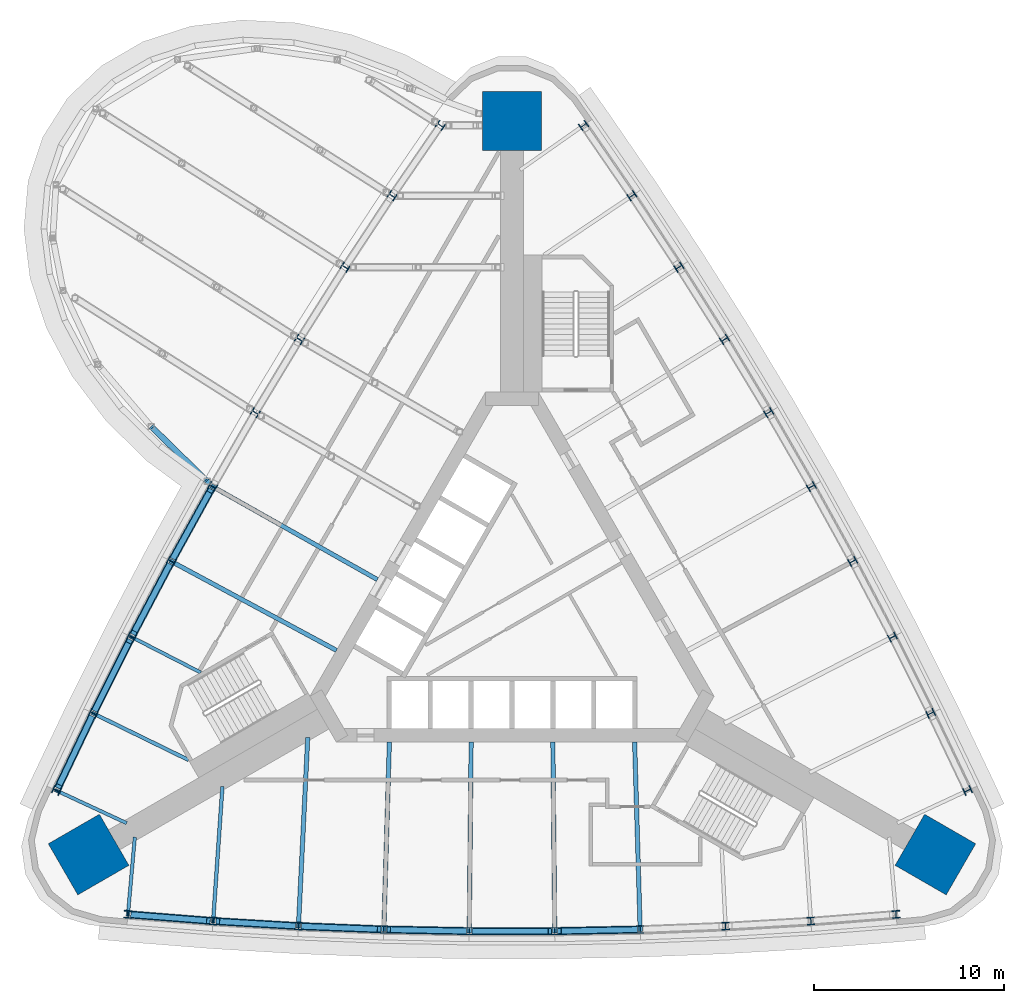
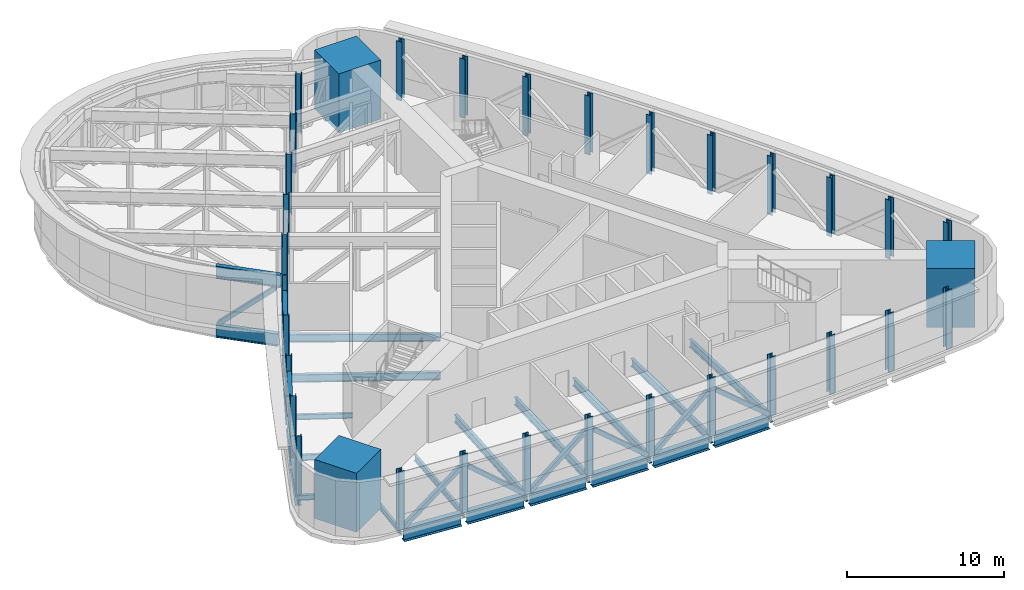
# One storey, part 1 of 11: 33 columns, 22 beams, 13 members.
"""IFC4 building model written with IfcOpenShell, lengths in metres."""

from ifc_helpers import new_model, si_unit, direction, frame, origin, origin_2d, place, context, subcontext, project, spatial, rectangle, hollow_rectangle, i_section, extrude, material, material_profile, profile_set, type_object, element, save


model = new_model("IFC4")

# Units and contexts
model_context = context("Model", 3, precision=1e-05, world=origin(), true_north=direction((0.0, 1.0)))
body_context = subcontext(model_context, "Body", "Model", "MODEL_VIEW")
ifc_project = project(units=[si_unit("LENGTHUNIT", "METRE"), si_unit("AREAUNIT", "SQUARE_METRE"), si_unit("VOLUMEUNIT", "CUBIC_METRE"), si_unit("PLANEANGLEUNIT", "RADIAN"), si_unit("MASSUNIT", "GRAM", prefix="KILO")], contexts=[model_context])

# Site, building, storey
site_placement = place(None, origin())
site = spatial("IfcSite", under=ifc_project, at=site_placement, CompositionType="ELEMENT")
building_placement = place(site_placement, origin())
building = spatial("IfcBuilding", under=site, at=building_placement, Name="Noor Cloister Tower", CompositionType="ELEMENT")
storey_placement = place(building_placement, frame((0.0, 0.0, 87.0)))
storey = spatial("IfcBuildingStorey", under=building, at=storey_placement, Name="L22", CompositionType="ELEMENT", Elevation=87.0)

# Columns
ifc_material_1 = material(Name="Steel ASTM A992 Gr 50", Category="steel")
ifc_material_profile_1 = material_profile(ifc_material_1, i_section(OverallWidth=0.404052734375, OverallDepth=0.406005859375, WebThickness=0.027099609375, FlangeThickness=0.043701171875, FilletRadius=0.01513671875, at=origin_2d()), Name="W360x347")
ifc_profile_set_1 = profile_set([ifc_material_profile_1], Name="Steel ASTM A992 Gr 50")
column_type_1 = type_object("IfcColumnType", Name="Column W360x347", PredefinedType="COLUMN", material=ifc_profile_set_1)
for number, where, z_axis, x_axis, name in (
    (1, (-3.754638671875, 25.463623046875, -0.300048828125), (0.0, 0.0, 1.0), (-0.57464761374, -0.818400953092, 0.0), "Column NW 01 L22"),
    (2, (-6.2978515625, 21.7646484375, -0.300048828125), (0.0, 0.0, 1.0), (-0.558428529917, -0.829552636651, 0.0), "Column NW 02 L22"),
    (3, (-8.76806640625, 18.01611328125, -0.300048828125), (0.0, 0.0, 1.0), (-0.541993100424, -0.840382935984, 0.0), "Column NW 03 L22"),
    (4, (-11.163818359375, 14.2197265625, -0.300048828125), (0.0, 0.0, 1.0), (-0.525347692669, -0.850887655221, 0.0), "Column NW 04 L22"),
    (5, (-13.484375, 10.376953125, -0.300048828125), (0.0, 0.0, 1.0), (-0.508498755365, -0.861062724656, 0.0), "Column NW 05 L22"),
    (6, (-15.72900390625, 6.489501953125, -0.300048828125), (0.0, 0.0, 1.0), (-0.491452816121, -0.870904202267, 0.0), "Column NW 06 L22"),
    (7, (-17.896728515625, 2.558349609375, -0.300048828125), (0.0, 0.0, 1.0), (-0.474216478854, -0.880408275281, 0.0), "Column NW 07 L22"),
    (8, (-19.986328125, -1.414794921875, -0.300048828125), (0.0, 0.0, 1.0), (-0.456796421257, -0.889571261635, 0.0), "Column NW 08 L22"),
    (9, (-21.99755859375, -5.427978515625, -0.300048828125), (0.0, 0.0, 1.0), (-0.439199392158, -0.898389611432, 0.0), "Column NW 09 L22"),
    (10, (-23.929443359375, -9.480224609375, -0.300048828125), (0.0, 0.0, 1.0), (-0.421432208989, -0.906859908269, 0.0), "Column NW 10 L22"),
    (11, (-20.1748046875, -15.9833984375, -0.300048828125), (0.0, 0.0, 1.0), (0.99607982273, -0.088458955177, 0.0), "Column S 01 L22"),
    (12, (-15.69970703125, -16.33642578125, -0.300048828125), (0.0, 0.0, 1.0), (0.997627922075, -0.06883697478, 0.0), "Column S 02 L22"),
    (13, (-11.218505859375, -16.601318359375, -0.300048828125), (0.0, 0.0, 1.0), (0.998789521681, -0.049188325651, 0.0), "Column S 03 L22"),
    (14, (-6.732666015625, -16.778076171875, -0.300048828125), (0.0, 0.0, 1.0), (0.999564171522, -0.02952062006, 0.0), "Column S 04 L22"),
    (15, (-2.24462890625, -16.866455078125, -0.300048828125), (0.0, 0.0, 1.0), (0.999951571487, -0.009841477611, 0.0), "Column S 05 L22"),
    (16, (2.24462890625, -16.866455078125, -0.300048828125), (0.0, 0.0, 1.0), (0.999951571487, 0.009841477611, 0.0), "Column S 06 L22"),
    (17, (6.732666015625, -16.778076171875, -0.300048828125), (0.0, 0.0, 1.0), (0.999564171522, 0.02952062006, 0.0), "Column S 07 L22"),
    (18, (11.218505859375, -16.601318359375, -0.300048828125), (0.0, 0.0, 1.0), (0.998789521681, 0.049188325651, 0.0), "Column S 08 L22"),
    (19, (15.69970703125, -16.33642578125, -0.300048828125), (0.0, 0.0, 1.0), (0.997627922075, 0.06883697478, 0.0), "Column S 09 L22"),
    (20, (20.1748046875, -15.9833984375, -0.300048828125), (0.0, 0.0, 1.0), (0.99607982273, 0.088458955177, 0.0), "Column S 10 L22"),
    (21, (23.929443359375, -9.480224609375, -0.300048828125), (0.0, 0.0, 1.0), (-0.421432208989, 0.906859908269, 0.0), "Column NE 01 L22"),
    (22, (21.99755859375, -5.427978515625, -0.300048828125), (0.0, 0.0, 1.0), (-0.439199392158, 0.898389611432, 0.0), "Column NE 02 L22"),
    (23, (19.986328125, -1.414794921875, -0.300048828125), (0.0, 0.0, 1.0), (-0.456796421257, 0.889571261635, 0.0), "Column NE 03 L22"),
    (24, (17.896728515625, 2.558349609375, -0.300048828125), (0.0, 0.0, 1.0), (-0.474216478854, 0.880408275281, 0.0), "Column NE 04 L22"),
    (25, (15.72900390625, 6.489501953125, -0.300048828125), (0.0, 0.0, 1.0), (-0.491452816121, 0.870904202267, 0.0), "Column NE 05 L22"),
    (26, (13.484375, 10.376953125, -0.300048828125), (0.0, 0.0, 1.0), (-0.508498755365, 0.861062724656, 0.0), "Column NE 06 L22"),
    (27, (11.163818359375, 14.2197265625, -0.300048828125), (0.0, 0.0, 1.0), (-0.525347692669, 0.850887655221, 0.0), "Column NE 07 L22"),
    (28, (8.76806640625, 18.01611328125, -0.300048828125), (0.0, 0.0, 1.0), (-0.541993100424, 0.840382935984, 0.0), "Column NE 08 L22"),
    (29, (6.2978515625, 21.7646484375, -0.300048828125), (0.0, 0.0, 1.0), (-0.558428529917, 0.829552636651, 0.0), "Column NE 09 L22"),
    (30, (3.754638671875, 25.463623046875, -0.300048828125), (0.0, 0.0, 1.0), (-0.57464761374, 0.818400953092, 0.0), "Column NE 10 L22"),
):
    element("IfcColumn", number, at=place(storey_placement, frame(where, z_axis=z_axis, x_axis=x_axis)), inside=storey, type_object=column_type_1, Name=name, PredefinedType="COLUMN", context=body_context, shape_type="SweptSolid", body=[
        extrude(i_section(OverallWidth=0.404052734375, OverallDepth=0.406005859375, WebThickness=0.027099609375, FlangeThickness=0.043701171875, FilletRadius=0.01513671875, at=origin_2d()), origin(), (0.0, 0.0, 1.0), 4.60009765625),
    ])
ifc_material_2 = material(Name="Concrete C80/95", Category="concrete")
ifc_material_profile_2 = material_profile(ifc_material_2, rectangle(XDim=3.10009765625, YDim=3.10009765625, at=origin_2d()), Name="RC 3100x3100")
ifc_profile_set_2 = profile_set([ifc_material_profile_2], Name="Concrete C80/95")
column_type_2 = type_object("IfcColumnType", Name="Corner pier 3100 x 3100 C80/95", PredefinedType="COLUMN", material=ifc_profile_set_2)
for number, where, z_axis, x_axis, name in (
    (31, (0.0, 25.68408203125, -0.300048828125), (0.0, 0.0, 1.0), (0.0, 1.0, 0.0), "Corner pier N L22"),
    (32, (-22.242919921875, -12.842041015625, -0.300048828125), (0.0, 0.0, 1.0), (-0.866025403784, -0.5, 0.0), "Corner pier SW L22"),
    (33, (22.242919921875, -12.842041015625, -0.300048828125), (0.0, 0.0, 1.0), (0.866025403784, -0.5, 0.0), "Corner pier SE L22"),
):
    element("IfcColumn", number, at=place(storey_placement, frame(where, z_axis=z_axis, x_axis=x_axis)), inside=storey, type_object=column_type_2, Name=name, PredefinedType="COLUMN", context=body_context, shape_type="SweptSolid", body=[
        extrude(rectangle(XDim=3.10009765625, YDim=3.10009765625, at=origin_2d()), origin(), (0.0, 0.0, 1.0), 4.60009765625),
    ])

# Beams
ifc_material_3 = material(Name="Steel ASTM A992 Gr 50", Category="steel")
ifc_material_profile_3 = material_profile(ifc_material_3, i_section(OverallWidth=0.40087890625, OverallDepth=0.98291015625, WebThickness=0.0166015625, FlangeThickness=0.027099609375, FilletRadius=0.030029296875, at=origin_2d()), Name="W1000x296")
ifc_profile_set_3 = profile_set([ifc_material_profile_3], Name="Steel ASTM A992 Gr 50")
beam_type_1 = type_object("IfcBeamType", Name="Belt chord girder W1000x296", PredefinedType="BEAM", material=ifc_profile_set_3)
beam_1_placement = place(storey_placement, frame((-15.82666015625, 6.3125, -0.79150390625), z_axis=(-0.482829280505, -0.875714500215, 0.0), x_axis=(0.875714500215, -0.482829280505, 0.0)))
element("IfcBeam", 34, at=beam_1_placement, inside=storey, type_object=beam_type_1, Name="Spandrel beam NW 06 L22", PredefinedType="BEAM", context=body_context, shape_type="SweptSolid", body=[
    extrude(i_section(OverallWidth=0.40087890625, OverallDepth=0.98291015625, WebThickness=0.0166015625, FlangeThickness=0.027099609375, FilletRadius=0.030029296875, at=origin_2d()), origin(), (0.0, 0.0, 1.0), 4.085205078125),
])
beam_2_placement = place(storey_placement, frame((-17.99072265625, 2.37939453125, -0.79150390625), z_axis=(-0.465527185489, -0.885033581041, 0.0), x_axis=(0.885033581041, -0.465527185489, 0.0)))
element("IfcBeam", 35, at=beam_2_placement, inside=storey, type_object=beam_type_1, Name="Spandrel beam NW 07 L22", PredefinedType="BEAM", context=body_context, shape_type="SweptSolid", body=[
    extrude(i_section(OverallWidth=0.40087890625, OverallDepth=0.98291015625, WebThickness=0.0166015625, FlangeThickness=0.027099609375, FilletRadius=0.030029296875, at=origin_2d()), origin(), (0.0, 0.0, 1.0), 4.0849609375),
])
for number, where, z_axis, x_axis, name in (
    (36, (-20.076904296875, -1.59521484375, -0.79150390625), (-0.448026156732, -0.894020448807, 0.0), (0.894020448807, -0.448026156732, 0.0), "Spandrel beam NW 08 L22"),
    (37, (-22.08447265625, -5.6103515625, -0.79150390625), (-0.430353421503, -0.902660474708, 0.0), (0.902660474708, -0.430353421503, 0.0), "Spandrel beam NW 09 L22"),
):
    element("IfcBeam", number, at=place(storey_placement, frame(where, z_axis=z_axis, x_axis=x_axis)), inside=storey, type_object=beam_type_1, Name=name, PredefinedType="BEAM", context=body_context, shape_type="SweptSolid", body=[
        extrude(i_section(OverallWidth=0.40087890625, OverallDepth=0.98291015625, WebThickness=0.0166015625, FlangeThickness=0.027099609375, FilletRadius=0.030029296875, at=origin_2d()), origin(), (0.0, 0.0, 1.0), 4.085205078125),
    ])
for number, where, z_axis, x_axis, name in (
    (38, (-19.973388671875, -15.999267578125, -0.79150390625), (0.996902096171, -0.07865246754, 0.0), (0.07865246754, 0.996902096171, 0.0), "Spandrel beam S 01 L22"),
    (39, (-15.498046875, -16.348388671875, -0.79150390625), (0.998255153979, -0.059047841234, 0.0), (0.059047841234, 0.998255153979, 0.0), "Spandrel beam S 02 L22"),
):
    element("IfcBeam", number, at=place(storey_placement, frame(where, z_axis=z_axis, x_axis=x_axis)), inside=storey, type_object=beam_type_1, Name=name, PredefinedType="BEAM", context=body_context, shape_type="SweptSolid", body=[
        extrude(i_section(OverallWidth=0.40087890625, OverallDepth=0.98291015625, WebThickness=0.0166015625, FlangeThickness=0.027099609375, FilletRadius=0.030029296875, at=origin_2d()), origin(), (0.0, 0.0, 1.0), 4.0849609375),
    ])
beam_3_placement = place(storey_placement, frame((-11.0166015625, -16.609375, -0.79150390625), z_axis=(0.999226527023, -0.039323627678, 0.0), x_axis=(0.039323627678, 0.999226527023, 0.0)))
element("IfcBeam", 40, at=beam_3_placement, inside=storey, type_object=beam_type_1, Name="Spandrel beam S 03 L22", PredefinedType="BEAM", context=body_context, shape_type="SweptSolid", body=[
    extrude(i_section(OverallWidth=0.40087890625, OverallDepth=0.98291015625, WebThickness=0.0166015625, FlangeThickness=0.027099609375, FilletRadius=0.030029296875, at=origin_2d()), origin(), (0.0, 0.0, 1.0), 4.085205078125),
])
for number, where, z_axis, x_axis, name in (
    (41, (-6.53076171875, -16.781982421875, -0.79150390625), (0.999805494808, -0.01972238707, 0.0), (0.01972238707, 0.999805494808, 0.0), "Spandrel beam S 04 L22"),
    (42, (-2.04248046875, -16.866455078125, -0.79150390625), (1.0, 0.0, 0.0), (0.0, 1.0, 0.0), "Spandrel beam S 05 L22"),
    (43, (2.446533203125, -16.862548828125, -0.79150390625), (0.999805494808, 0.01972238707, 0.0), (-0.01972238707, 0.999805494808, 0.0), "Spandrel beam S 06 L22"),
):
    element("IfcBeam", number, at=place(storey_placement, frame(where, z_axis=z_axis, x_axis=x_axis)), inside=storey, type_object=beam_type_1, Name=name, PredefinedType="BEAM", context=body_context, shape_type="SweptSolid", body=[
        extrude(i_section(OverallWidth=0.40087890625, OverallDepth=0.98291015625, WebThickness=0.0166015625, FlangeThickness=0.027099609375, FilletRadius=0.030029296875, at=origin_2d()), origin(), (0.0, 0.0, 1.0), 4.0849609375),
    ])

# Members
ifc_material_4 = material(Name="Steel ASTM A500 Gr C", Category="steel")
ifc_material_profile_4 = material_profile(ifc_material_4, hollow_rectangle(XDim=0.304931640625, YDim=0.304931640625, WallThickness=0.0126953125, at=origin_2d()), Name="HSS304.8x304.8x12.7")
ifc_profile_set_4 = profile_set([ifc_material_profile_4], Name="Steel ASTM A500 Gr C")
member_type_1 = type_object("IfcMemberType", Name="Belt truss diagonal HSS304.8x304.8x12.7", PredefinedType="BRACE", material=ifc_profile_set_4)
for number, where, z_axis, x_axis, name in (
    (44, (-17.777099609375, 2.77490234375, -0.18359375), (0.368367987221, 0.668136239133, 0.646451074675), (-0.875721177737, 0.482817169187, 0.0), "Belt truss diagonal NW 06 L22"),
    (45, (-18.011962890625, 2.33935546875, -0.18359375), (-0.355175074127, -0.675233705133, 0.646459674049), (0.885032225576, -0.465529762413, 0.0), "Belt truss diagonal NW 07 L22"),
    (46, (-21.88671875, -5.206787109375, -0.18359375), (0.341794726021, 0.682097102303, 0.646467252299), (-0.894035639422, 0.44799584311, 0.0), "Belt truss diagonal NW 08 L22"),
    (47, (-22.104248046875, -5.651611328125, -0.18359375), (-0.328319880127, -0.688678930375, 0.646473036693), (0.902668346307, -0.430336910544, 0.0), "Belt truss diagonal NW 09 L22"),
    (48, (-19.92822265625, -16.0029296875, -0.18359375), (0.760580629623, -0.060020066854, 0.646463222014), (0.07866891456, 0.996900798416, 0.0), "Belt truss diagonal S 01 L22"),
    (49, (-11.465576171875, -16.5869140625, -0.18359375), (-0.761610864871, 0.045050278334, 0.646466830497), (-0.059048096513, -0.998255138879, 0.0), "Belt truss diagonal S 02 L22"),
):
    element("IfcMember", number, at=place(storey_placement, frame(where, z_axis=z_axis, x_axis=x_axis)), inside=storey, type_object=member_type_1, Name=name, PredefinedType="BRACE", context=body_context, shape_type="SweptSolid", body=[
        extrude(hollow_rectangle(XDim=0.304931640625, YDim=0.304931640625, WallThickness=0.0126953125, at=origin_2d()), origin(), (0.0, 0.0, 1.0), 5.235107421875),
    ])
member_1_placement = place(storey_placement, frame((-10.97119140625, -16.611083984375, -0.18359375), z_axis=(0.762372899132, -0.030032306523, 0.64644073451), x_axis=(0.039362667817, 0.999224989871, 0.0)))
element("IfcMember", 50, at=member_1_placement, inside=storey, type_object=member_type_1, Name="Belt truss diagonal S 03 L22", PredefinedType="BRACE", context=body_context, shape_type="SweptSolid", body=[
    extrude(hollow_rectangle(XDim=0.304931640625, YDim=0.304931640625, WallThickness=0.0126953125, at=origin_2d()), origin(), (0.0, 0.0, 1.0), 5.2353515625),
])
for number, where, z_axis, x_axis, name in (
    (51, (-2.491943359375, -16.861572265625, -0.18359375), (-0.76280646302, 0.015016426062, 0.646452478473), (-0.019681948152, -0.999806291697, 0.0), "Belt truss diagonal S 04 L22"),
    (52, (-1.9970703125, -16.866455078125, -0.18359375), (0.762950958005, 0.0, 0.646456367962), (0.0, 1.0, 0.0), "Belt truss diagonal S 05 L22"),
    (53, (6.4853515625, -16.782958984375, -0.18359375), (-0.76280646302, -0.015016426062, 0.646452478473), (0.019681948152, -0.999806291697, 0.0), "Belt truss diagonal S 06 L22"),
):
    element("IfcMember", number, at=place(storey_placement, frame(where, z_axis=z_axis, x_axis=x_axis)), inside=storey, type_object=member_type_1, Name=name, PredefinedType="BRACE", context=body_context, shape_type="SweptSolid", body=[
        extrude(hollow_rectangle(XDim=0.304931640625, YDim=0.304931640625, WallThickness=0.0126953125, at=origin_2d()), origin(), (0.0, 0.0, 1.0), 5.235107421875),
    ])
ifc_material_5 = material(Name="Steel ASTM A992 Gr 50", Category="steel")
ifc_material_profile_5 = material_profile(ifc_material_5, i_section(OverallWidth=0.300048828125, OverallDepth=0.97998046875, WebThickness=0.0166015625, FlangeThickness=0.026123046875, FilletRadius=0.02978515625, at=origin_2d()), Name="W1000x249")
ifc_profile_set_5 = profile_set([ifc_material_profile_5], Name="Steel ASTM A992 Gr 50")
member_type_2 = type_object("IfcMemberType", Name="Pod ring chord W1000x249", PredefinedType="CHORD", material=ifc_profile_set_5)
member_2_placement = place(storey_placement, frame((-18.95458984375, 9.646240234375, -0.7900390625), z_axis=(0.714666863818, -0.69946499109, 0.0), x_axis=(0.69946499109, 0.714666863818, 0.0)))
element("IfcMember", 54, at=member_2_placement, inside=storey, type_object=member_type_2, Name="Pod truss 2 bottom chord ring 11", PredefinedType="CHORD", context=body_context, shape_type="SweptSolid", body=[
    extrude(i_section(OverallWidth=0.300048828125, OverallDepth=0.97998046875, WebThickness=0.0166015625, FlangeThickness=0.026123046875, FilletRadius=0.02978515625, at=origin_2d()), origin(), (0.0, 0.0, 1.0), 4.09521484375),
])
member_3_placement = place(storey_placement, frame((-18.95458984375, 9.646240234375, 3.81005859375), z_axis=(0.714650501656, -0.699481708469, 0.0), x_axis=(0.699481708469, 0.714650501656, 0.0)))
element("IfcMember", 55, at=member_3_placement, inside=storey, type_object=member_type_2, Name="Pod truss 2 top chord ring 11", PredefinedType="CHORD", context=body_context, shape_type="SweptSolid", body=[
    extrude(i_section(OverallWidth=0.300048828125, OverallDepth=0.97998046875, WebThickness=0.0166015625, FlangeThickness=0.026123046875, FilletRadius=0.02978515625, at=origin_2d()), origin(), (0.0, 0.0, 1.0), 4.26513671875),
])
ifc_material_6 = material(Name="Steel ASTM A500 Gr C", Category="steel")
ifc_material_profile_6 = material_profile(ifc_material_6, hollow_rectangle(XDim=0.304931640625, YDim=0.304931640625, WallThickness=0.0126953125, at=origin_2d()), Name="HSS304.8x304.8x12.7")
ifc_profile_set_6 = profile_set([ifc_material_profile_6], Name="Steel ASTM A500 Gr C")
member_type_3 = type_object("IfcMemberType", Name="Pod truss diagonal HSS304.8x304.8x12.7", PredefinedType="BRACE", material=ifc_profile_set_6)
member_4_placement = place(storey_placement, frame((-18.818359375, 9.5126953125, -0.187255859375), z_axis=(0.528223852183, -0.516935568449, 0.673615008783), x_axis=(0.699428854169, 0.714702230272, 0.0)))
element("IfcMember", 56, at=member_4_placement, inside=storey, type_object=member_type_3, Name="Pod truss 2 diagonal ring 11", PredefinedType="BRACE", context=body_context, shape_type="SweptSolid", body=[
    extrude(hollow_rectangle(XDim=0.304931640625, YDim=0.304931640625, WallThickness=0.0126953125, at=origin_2d()), origin(), (0.0, 0.0, 1.0), 5.039306640625),
])

# Beams
ifc_material_7 = material(Name="Steel ASTM A992 Gr 50", Category="steel")
ifc_material_profile_7 = material_profile(ifc_material_7, i_section(OverallWidth=0.177978515625, OverallDepth=0.406005859375, WebThickness=0.0078125, FlangeThickness=0.0126953125, FilletRadius=0.01025390625, at=origin_2d()), Name="W410x60")
ifc_profile_set_7 = profile_set([ifc_material_profile_7], Name="Steel ASTM A992 Gr 50")
beam_type_2 = type_object("IfcBeamType", Name="Radial beam W410x60", PredefinedType="BEAM", material=ifc_profile_set_7)
beam_4_placement = place(storey_placement, frame((-20.07275390625, -1.370361328125, -0.5029296875), z_axis=(0.889564453209, -0.456809679831, 0.0), x_axis=(0.456809679831, 0.889564453209, 0.0)))
element("IfcBeam", 57, at=beam_4_placement, inside=storey, type_object=beam_type_2, Name="Radial beam NW 08 L22", PredefinedType="BEAM", context=body_context, shape_type="SweptSolid", body=[
    extrude(i_section(OverallWidth=0.177978515625, OverallDepth=0.406005859375, WebThickness=0.0078125, FlangeThickness=0.0126953125, FilletRadius=0.01025390625, at=origin_2d()), origin(), (0.0, 0.0, 1.0), 4.181396484375),
])
beam_5_placement = place(storey_placement, frame((-24.017333984375, -9.439453125, -0.5029296875), z_axis=(0.906861795377, -0.421428148188, 0.0), x_axis=(0.421428148188, 0.906861795377, 0.0)))
element("IfcBeam", 58, at=beam_5_placement, inside=storey, type_object=beam_type_2, Name="Radial beam NW 10 L22", PredefinedType="BEAM", context=body_context, shape_type="SweptSolid", body=[
    extrude(i_section(OverallWidth=0.177978515625, OverallDepth=0.406005859375, WebThickness=0.0078125, FlangeThickness=0.0126953125, FilletRadius=0.01025390625, at=origin_2d()), origin(), (0.0, 0.0, 1.0), 4.165283203125),
])
beam_6_placement = place(storey_placement, frame((-20.183349609375, -16.080078125, -0.5029296875), z_axis=(0.088442871881, 0.996081250909, 0.0), x_axis=(-0.996081250909, 0.088442871881, 0.0)))
element("IfcBeam", 59, at=beam_6_placement, inside=storey, type_object=beam_type_2, Name="Radial beam S 01 L22", PredefinedType="BEAM", context=body_context, shape_type="SweptSolid", body=[
    extrude(i_section(OverallWidth=0.177978515625, OverallDepth=0.406005859375, WebThickness=0.0078125, FlangeThickness=0.0126953125, FilletRadius=0.01025390625, at=origin_2d()), origin(), (0.0, 0.0, 1.0), 4.16552734375),
])
ifc_material_8 = material(Name="Steel ASTM A992 Gr 50", Category="steel")
ifc_material_profile_8 = material_profile(ifc_material_8, i_section(OverallWidth=0.19091796875, OverallDepth=0.45703125, WebThickness=0.009033203125, FlangeThickness=0.014404296875, FilletRadius=0.01025390625, at=origin_2d()), Name="W460x74")
ifc_profile_set_8 = profile_set([ifc_material_profile_8], Name="Steel ASTM A992 Gr 50")
beam_type_3 = type_object("IfcBeamType", Name="Radial beam W460x74", PredefinedType="BEAM", material=ifc_profile_set_8)
beam_7_placement = place(storey_placement, frame((-22.084716796875, -5.385498046875, -0.528564453125), z_axis=(0.898392299507, -0.439193893612, 0.0), x_axis=(0.439193893612, 0.898392299507, 0.0)))
element("IfcBeam", 60, at=beam_7_placement, inside=storey, type_object=beam_type_3, Name="Radial beam NW 09 L22", PredefinedType="BEAM", context=body_context, shape_type="SweptSolid", body=[
    extrude(i_section(OverallWidth=0.19091796875, OverallDepth=0.45703125, WebThickness=0.009033203125, FlangeThickness=0.014404296875, FilletRadius=0.01025390625, at=origin_2d()), origin(), (0.0, 0.0, 1.0), 5.662841796875),
])
beam_8_placement = place(storey_placement, frame((-15.706298828125, -16.433349609375, -0.528564453125), z_axis=(0.068819604132, 0.997629120509, 0.0), x_axis=(-0.997629120509, 0.068819604132, 0.0)))
element("IfcBeam", 61, at=beam_8_placement, inside=storey, type_object=beam_type_3, Name="Radial beam S 02 L22", PredefinedType="BEAM", context=body_context, shape_type="SweptSolid", body=[
    extrude(i_section(OverallWidth=0.19091796875, OverallDepth=0.45703125, WebThickness=0.009033203125, FlangeThickness=0.014404296875, FilletRadius=0.01025390625, at=origin_2d()), origin(), (0.0, 0.0, 1.0), 7.1767578125),
])
ifc_material_9 = material(Name="Steel ASTM A992 Gr 50", Category="steel")
ifc_material_profile_9 = material_profile(ifc_material_9, i_section(OverallWidth=0.22802734375, OverallDepth=0.60205078125, WebThickness=0.010498046875, FlangeThickness=0.014892578125, FilletRadius=0.0126953125, at=origin_2d()), Name="W610x101")
ifc_profile_set_9 = profile_set([ifc_material_profile_9], Name="Steel ASTM A992 Gr 50")
beam_type_4 = type_object("IfcBeamType", Name="Radial beam W610x101", PredefinedType="BEAM", material=ifc_profile_set_9)
beam_9_placement = place(storey_placement, frame((-15.8134765625, 6.537109375, -0.60107421875), z_axis=(0.87089837579, -0.491463141085, 0.0), x_axis=(0.491463141085, 0.87089837579, 0.0)))
element("IfcBeam", 62, at=beam_9_placement, inside=storey, type_object=beam_type_4, Name="Radial beam NW 06 L22", PredefinedType="BEAM", context=body_context, shape_type="SweptSolid", body=[
    extrude(i_section(OverallWidth=0.22802734375, OverallDepth=0.60205078125, WebThickness=0.010498046875, FlangeThickness=0.014892578125, FilletRadius=0.0126953125, at=origin_2d()), origin(), (0.0, 0.0, 1.0), 10.03564453125),
])
beam_10_placement = place(storey_placement, frame((-17.98193359375, 2.604248046875, -0.60107421875), z_axis=(0.880406492765, -0.474219788175, 0.0), x_axis=(0.474219788175, 0.880406492765, 0.0)))
element("IfcBeam", 63, at=beam_10_placement, inside=storey, type_object=beam_type_4, Name="Radial beam NW 07 L22", PredefinedType="BEAM", context=body_context, shape_type="SweptSolid", body=[
    extrude(i_section(OverallWidth=0.22802734375, OverallDepth=0.60205078125, WebThickness=0.010498046875, FlangeThickness=0.014892578125, FilletRadius=0.0126953125, at=origin_2d()), origin(), (0.0, 0.0, 1.0), 9.951171875),
])
beam_11_placement = place(storey_placement, frame((-11.22314453125, -16.6982421875, -0.60107421875), z_axis=(0.049195438447, 0.998789171365, 0.0), x_axis=(-0.998789171365, 0.049195438447, 0.0)))
element("IfcBeam", 64, at=beam_11_placement, inside=storey, type_object=beam_type_4, Name="Radial beam S 03 L22", PredefinedType="BEAM", context=body_context, shape_type="SweptSolid", body=[
    extrude(i_section(OverallWidth=0.22802734375, OverallDepth=0.60205078125, WebThickness=0.010498046875, FlangeThickness=0.014892578125, FilletRadius=0.0126953125, at=origin_2d()), origin(), (0.0, 0.0, 1.0), 10.024658203125),
])
beam_12_placement = place(storey_placement, frame((-6.735595703125, -16.875, -0.60107421875), z_axis=(0.029514405751, 0.999564355033, 0.0), x_axis=(-0.999564355033, 0.029514405751, 0.0)))
element("IfcBeam", 65, at=beam_12_placement, inside=storey, type_object=beam_type_4, Name="Radial beam S 04 L22", PredefinedType="BEAM", context=body_context, shape_type="SweptSolid", body=[
    extrude(i_section(OverallWidth=0.22802734375, OverallDepth=0.60205078125, WebThickness=0.010498046875, FlangeThickness=0.014892578125, FilletRadius=0.0126953125, at=origin_2d()), origin(), (0.0, 0.0, 1.0), 9.951171875),
])
for number, where, z_axis, x_axis, name in (
    (66, (-2.24560546875, -16.96337890625, -0.60107421875), (0.009852577418, 0.999951462181, 0.0), (-0.999951462181, 0.009852577418, 0.0), "Radial beam S 05 L22"),
    (67, (2.24560546875, -16.96337890625, -0.60107421875), (-0.009852577418, 0.999951462181, 0.0), (-0.999951462181, -0.009852577418, 0.0), "Radial beam S 06 L22"),
):
    element("IfcBeam", number, at=place(storey_placement, frame(where, z_axis=z_axis, x_axis=x_axis)), inside=storey, type_object=beam_type_4, Name=name, PredefinedType="BEAM", context=body_context, shape_type="SweptSolid", body=[
        extrude(i_section(OverallWidth=0.22802734375, OverallDepth=0.60205078125, WebThickness=0.010498046875, FlangeThickness=0.014892578125, FilletRadius=0.0126953125, at=origin_2d()), origin(), (0.0, 0.0, 1.0), 10.03564453125),
    ])
beam_13_placement = place(storey_placement, frame((6.735595703125, -16.875, -0.60107421875), z_axis=(-0.029514405751, 0.999564355033, 0.0), x_axis=(-0.999564355033, -0.029514405751, 0.0)))
element("IfcBeam", 68, at=beam_13_placement, inside=storey, type_object=beam_type_4, Name="Radial beam S 07 L22", PredefinedType="BEAM", context=body_context, shape_type="SweptSolid", body=[
    extrude(i_section(OverallWidth=0.22802734375, OverallDepth=0.60205078125, WebThickness=0.010498046875, FlangeThickness=0.014892578125, FilletRadius=0.0126953125, at=origin_2d()), origin(), (0.0, 0.0, 1.0), 9.951171875),
])

save(model, "model.ifc")
